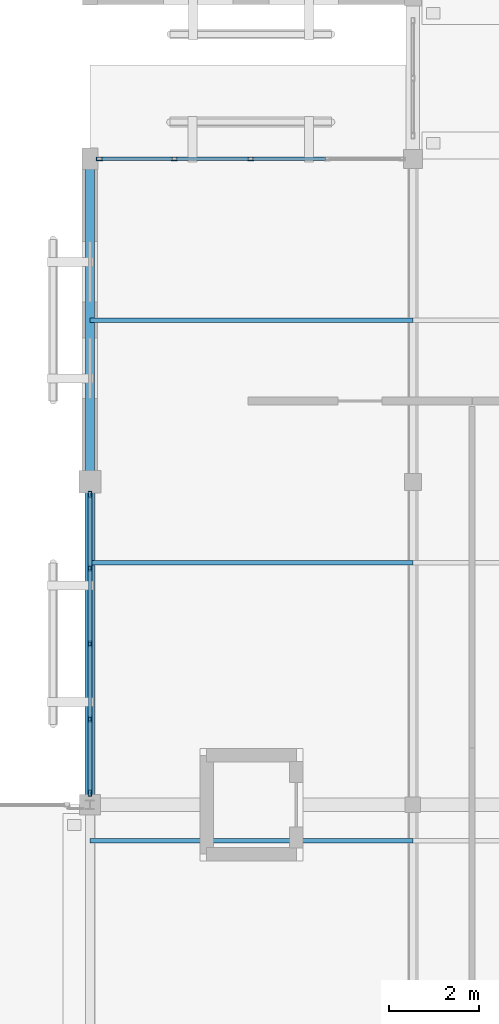
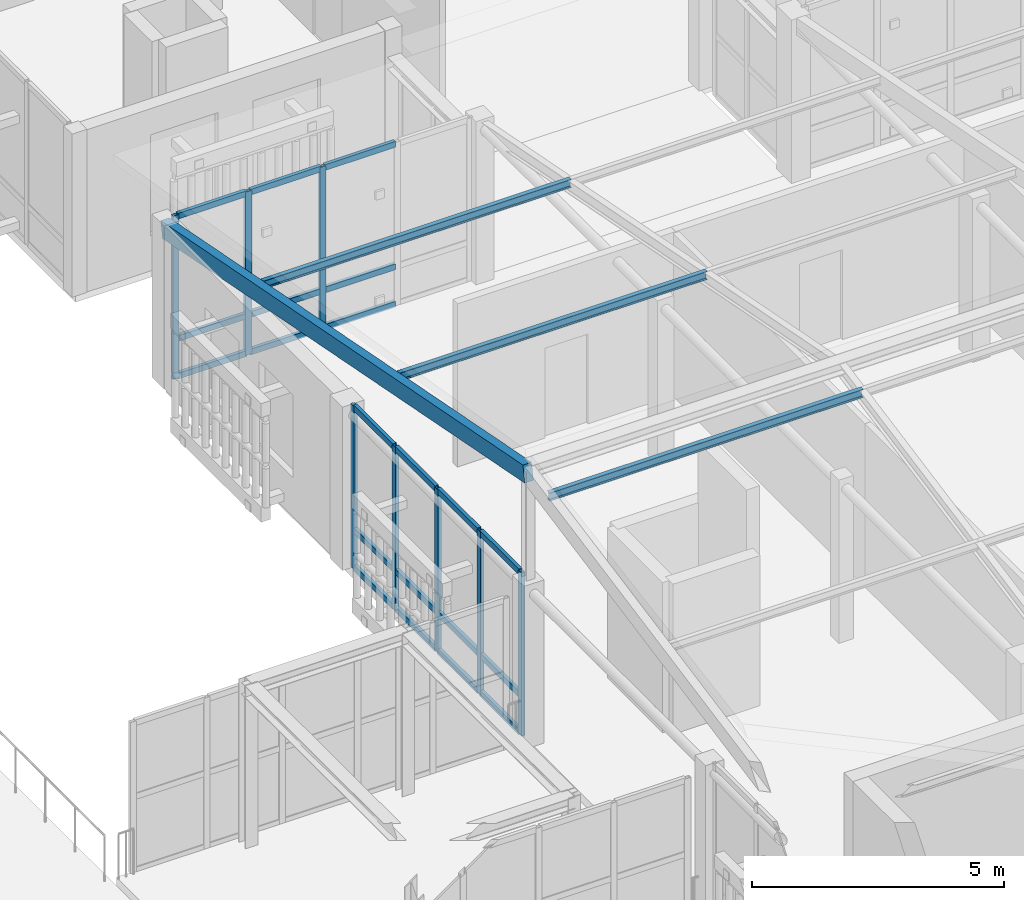
# One storey, part 44 of 112: 33 members, 2 elements without a shape of their own.
"""IFC4 building model written with IfcOpenShell, lengths in metres."""

from ifc_helpers import new_model, si_unit, direction, frame, origin, origin_2d, place, context, subcontext, project, spatial, rectangle, hollow_rectangle, i_section, extrude, material, layer, layer_set, material_profile, profile_set, type_object, element, aggregate, save


model = new_model("IFC4")

# Units and contexts
model_context = context("Model", 3, precision=1e-05, world=origin(), true_north=direction((0.0, 1.0)))
body_context = subcontext(model_context, "Body", "Model", "MODEL_VIEW")
ifc_project = project(units=[si_unit("LENGTHUNIT", "METRE"), si_unit("AREAUNIT", "SQUARE_METRE"), si_unit("VOLUMEUNIT", "CUBIC_METRE"), si_unit("PLANEANGLEUNIT", "RADIAN"), si_unit("MASSUNIT", "GRAM", prefix="KILO")], contexts=[model_context])

# Site, building, storey
site_placement = place(None, origin())
site = spatial("IfcSite", under=ifc_project, at=site_placement, CompositionType="ELEMENT")
building_placement = place(site_placement, origin())
building = spatial("IfcBuilding", under=site, at=building_placement, Name="Mazaris Harbour Polytechnic", CompositionType="ELEMENT")
storey_placement = place(building_placement, frame((0.0, 0.0, 13.800048828125)))
storey = spatial("IfcBuildingStorey", under=building, at=storey_placement, Name="L03", CompositionType="ELEMENT", Elevation=13.800048828125)

# Curtain wall, members
ifc_material_1 = material(Name="Anodised Bronze Aluminium and Low-E Glass", Category="aluminium")
ifc_layer = layer(ifc_material_1, 0.159912109375, Name="Anodised Bronze Aluminium and Low-E Glass")
ifc_layer_set = layer_set([ifc_layer], Name="Anodised Bronze Aluminium and Low-E Glass")
curtain_wall_type = type_object("IfcCurtainWallType", Name="Cloister Court Curtain Wall", PredefinedType="NOTDEFINED", material=ifc_layer_set)
curtain_wall_1_placement = place(storey_placement, origin())
curtain_wall_1 = element("IfcCurtainWall", 1, at=curtain_wall_1_placement, inside=storey, type_object=curtain_wall_type, Name="V2 L03 Curtain Wall 55", PredefinedType="NOTDEFINED")
ifc_material_2 = material(Name="Anodised Bronze Steel S355", Category="steel")
ifc_material_profile_1 = material_profile(ifc_material_2, hollow_rectangle(XDim=0.080078125, YDim=0.139892578125, WallThickness=0.00634765625, at=origin_2d()), Name="RHS 80x140x6.3")
ifc_profile_set_1 = profile_set([ifc_material_profile_1], Name="Anodised Bronze Steel S355")
member_type_1 = type_object("IfcMemberType", Name="Curtain Mullion RHS80x140", PredefinedType="MULLION", material=ifc_profile_set_1)
member_1_placement = place(storey_placement, frame((122.612060546875, 43.199951171875, 0.0), z_axis=(0.0, 0.0, 1.0), x_axis=(0.0, 1.0, 0.0)))
member_1 = element("IfcMember", 2, at=member_1_placement, type_object=member_type_1, Name="CW-02 mullion 1", PredefinedType="MULLION", context=body_context, shape_type="SweptSolid", body=[
    extrude(hollow_rectangle(XDim=0.080078125, YDim=0.139892578125, WallThickness=0.00634765625, at=origin_2d()), origin(), (0.0, 0.0, 1.0), 3.9599609375),
])
member_2_placement = place(storey_placement, frame((124.278564453125, 43.199951171875, 0.0), z_axis=(0.0, 0.0, 1.0), x_axis=(0.0, 1.0, 0.0)))
member_2 = element("IfcMember", 3, at=member_2_placement, type_object=member_type_1, Name="CW-02 mullion 2", PredefinedType="MULLION", context=body_context, shape_type="SweptSolid", body=[
    extrude(hollow_rectangle(XDim=0.080078125, YDim=0.139892578125, WallThickness=0.00634765625, at=origin_2d()), origin(), (0.0, 0.0, 1.0), 3.9599609375),
])
member_3_placement = place(storey_placement, frame((125.985107421875, 43.199951171875, 0.0), z_axis=(0.0, 0.0, 1.0), x_axis=(0.0, 1.0, 0.0)))
member_3 = element("IfcMember", 4, at=member_3_placement, type_object=member_type_1, Name="CW-02 mullion 3", PredefinedType="MULLION", context=body_context, shape_type="SweptSolid", body=[
    extrude(hollow_rectangle(XDim=0.080078125, YDim=0.139892578125, WallThickness=0.00634765625, at=origin_2d()), origin(), (0.0, 0.0, 1.0), 3.9599609375),
])

curtain_wall_2_placement = place(storey_placement, origin())
curtain_wall_2 = element("IfcCurtainWall", 5, at=curtain_wall_2_placement, inside=storey, type_object=curtain_wall_type, Name="V2 L03 Curtain Wall 59", PredefinedType="NOTDEFINED")
member_4_placement = place(storey_placement, frame((122.39990234375, 29.06201171875, 0.0), z_axis=(0.0, 0.0, 1.0), x_axis=(-1.0, 0.0, 0.0)))
member_4 = element("IfcMember", 6, at=member_4_placement, type_object=member_type_1, Name="CW-02 mullion 1", PredefinedType="MULLION", context=body_context, shape_type="SweptSolid", body=[
    extrude(hollow_rectangle(XDim=0.080078125, YDim=0.139892578125, WallThickness=0.00634765625, at=origin_2d()), origin(), (0.0, 0.0, 1.0), 3.9599609375),
])
member_5_placement = place(storey_placement, frame((122.39990234375, 30.7060546875, 0.0), z_axis=(0.0, 0.0, 1.0), x_axis=(-1.0, 0.0, 0.0)))
member_5 = element("IfcMember", 7, at=member_5_placement, type_object=member_type_1, Name="CW-02 mullion 2", PredefinedType="MULLION", context=body_context, shape_type="SweptSolid", body=[
    extrude(hollow_rectangle(XDim=0.080078125, YDim=0.139892578125, WallThickness=0.00634765625, at=origin_2d()), origin(), (0.0, 0.0, 1.0), 3.9599609375),
])
member_6_placement = place(storey_placement, frame((122.39990234375, 32.389892578125, 0.0), z_axis=(0.0, 0.0, 1.0), x_axis=(-1.0, 0.0, 0.0)))
member_6 = element("IfcMember", 8, at=member_6_placement, type_object=member_type_1, Name="CW-02 mullion 3", PredefinedType="MULLION", context=body_context, shape_type="SweptSolid", body=[
    extrude(hollow_rectangle(XDim=0.080078125, YDim=0.139892578125, WallThickness=0.00634765625, at=origin_2d()), origin(), (0.0, 0.0, 1.0), 3.9599609375),
])
member_7_placement = place(storey_placement, frame((122.39990234375, 34.073974609375, 0.0), z_axis=(0.0, 0.0, 1.0), x_axis=(-1.0, 0.0, 0.0)))
member_7 = element("IfcMember", 9, at=member_7_placement, type_object=member_type_1, Name="CW-02 mullion 4", PredefinedType="MULLION", context=body_context, shape_type="SweptSolid", body=[
    extrude(hollow_rectangle(XDim=0.080078125, YDim=0.139892578125, WallThickness=0.00634765625, at=origin_2d()), origin(), (0.0, 0.0, 1.0), 3.9599609375),
])
member_8_placement = place(storey_placement, frame((122.39990234375, 35.718017578125, 0.0), z_axis=(0.0, 0.0, 1.0), x_axis=(-1.0, 0.0, 0.0)))
member_8 = element("IfcMember", 10, at=member_8_placement, type_object=member_type_1, Name="CW-02 mullion 5", PredefinedType="MULLION", context=body_context, shape_type="SweptSolid", body=[
    extrude(hollow_rectangle(XDim=0.080078125, YDim=0.139892578125, WallThickness=0.00634765625, at=origin_2d()), origin(), (0.0, 0.0, 1.0), 3.9599609375),
])

# Member
ifc_material_3 = material(Name="Anodised Bronze Steel S355", Category="steel")
ifc_material_profile_2 = material_profile(ifc_material_3, hollow_rectangle(XDim=0.080078125, YDim=0.139892578125, WallThickness=0.00634765625, at=origin_2d()), Name="RHS 80x140x6.3")
ifc_profile_set_2 = profile_set([ifc_material_profile_2], Name="Anodised Bronze Steel S355")
member_type_2 = type_object("IfcMemberType", Name="Curtain Transom RHS80x140", PredefinedType="USERDEFINED", material=ifc_profile_set_2)
member_9_placement = place(storey_placement, frame((122.652099609375, 43.199951171875, 0.0400390625), z_axis=(1.0, 0.0, 0.0), x_axis=(0.0, 1.0, 0.0)))
member_9 = element("IfcMember", 11, at=member_9_placement, type_object=member_type_2, Name="CW-02 transom 1.1", ObjectType="TRANSOM", PredefinedType="USERDEFINED", context=body_context, shape_type="SweptSolid", body=[
    extrude(hollow_rectangle(XDim=0.080078125, YDim=0.139892578125, WallThickness=0.00634765625, at=origin_2d()), origin(), (0.0, 0.0, 1.0), 1.58642578125),
])

member_10_placement = place(storey_placement, frame((122.652099609375, 43.199951171875, 0.949951171875), z_axis=(1.0, 0.0, 0.0), x_axis=(0.0, 1.0, 0.0)))
member_10 = element("IfcMember", 12, at=member_10_placement, type_object=member_type_2, Name="CW-02 transom 1.2", ObjectType="TRANSOM", PredefinedType="USERDEFINED", context=body_context, shape_type="SweptSolid", body=[
    extrude(hollow_rectangle(XDim=0.080078125, YDim=0.139892578125, WallThickness=0.00634765625, at=origin_2d()), origin(), (0.0, 0.0, 1.0), 1.58642578125),
])

member_11_placement = place(storey_placement, frame((122.652099609375, 43.199951171875, 3.919921875), z_axis=(1.0, 0.0, 0.0), x_axis=(0.0, 1.0, 0.0)))
member_11 = element("IfcMember", 13, at=member_11_placement, type_object=member_type_2, Name="CW-02 transom 1.3", ObjectType="TRANSOM", PredefinedType="USERDEFINED", context=body_context, shape_type="SweptSolid", body=[
    extrude(hollow_rectangle(XDim=0.080078125, YDim=0.139892578125, WallThickness=0.00634765625, at=origin_2d()), origin(), (0.0, 0.0, 1.0), 1.58642578125),
])

member_12_placement = place(storey_placement, frame((124.318603515625, 43.199951171875, 0.0400390625), z_axis=(1.0, 0.0, 0.0), x_axis=(0.0, 1.0, 0.0)))
member_12 = element("IfcMember", 14, at=member_12_placement, type_object=member_type_2, Name="CW-02 transom 2.1", ObjectType="TRANSOM", PredefinedType="USERDEFINED", context=body_context, shape_type="SweptSolid", body=[
    extrude(hollow_rectangle(XDim=0.080078125, YDim=0.139892578125, WallThickness=0.00634765625, at=origin_2d()), origin(), (0.0, 0.0, 1.0), 1.62646484375),
])

member_13_placement = place(storey_placement, frame((124.318603515625, 43.199951171875, 0.949951171875), z_axis=(1.0, 0.0, 0.0), x_axis=(0.0, 1.0, 0.0)))
member_13 = element("IfcMember", 15, at=member_13_placement, type_object=member_type_2, Name="CW-02 transom 2.2", ObjectType="TRANSOM", PredefinedType="USERDEFINED", context=body_context, shape_type="SweptSolid", body=[
    extrude(hollow_rectangle(XDim=0.080078125, YDim=0.139892578125, WallThickness=0.00634765625, at=origin_2d()), origin(), (0.0, 0.0, 1.0), 1.62646484375),
])

member_14_placement = place(storey_placement, frame((124.318603515625, 43.199951171875, 3.919921875), z_axis=(1.0, 0.0, 0.0), x_axis=(0.0, 1.0, 0.0)))
member_14 = element("IfcMember", 16, at=member_14_placement, type_object=member_type_2, Name="CW-02 transom 2.3", ObjectType="TRANSOM", PredefinedType="USERDEFINED", context=body_context, shape_type="SweptSolid", body=[
    extrude(hollow_rectangle(XDim=0.080078125, YDim=0.139892578125, WallThickness=0.00634765625, at=origin_2d()), origin(), (0.0, 0.0, 1.0), 1.62646484375),
])

member_15_placement = place(storey_placement, frame((126.02490234375, 43.199951171875, 0.0400390625), z_axis=(1.0, 0.0, 0.0), x_axis=(0.0, 1.0, 0.0)))
member_15 = element("IfcMember", 17, at=member_15_placement, type_object=member_type_2, Name="CW-02 transom 3.1", ObjectType="TRANSOM", PredefinedType="USERDEFINED", context=body_context, shape_type="SweptSolid", body=[
    extrude(hollow_rectangle(XDim=0.080078125, YDim=0.139892578125, WallThickness=0.00634765625, at=origin_2d()), origin(), (0.0, 0.0, 1.0), 1.626708984375),
])

member_16_placement = place(storey_placement, frame((126.02490234375, 43.199951171875, 0.949951171875), z_axis=(1.0, 0.0, 0.0), x_axis=(0.0, 1.0, 0.0)))
member_16 = element("IfcMember", 18, at=member_16_placement, type_object=member_type_2, Name="CW-02 transom 3.2", ObjectType="TRANSOM", PredefinedType="USERDEFINED", context=body_context, shape_type="SweptSolid", body=[
    extrude(hollow_rectangle(XDim=0.080078125, YDim=0.139892578125, WallThickness=0.00634765625, at=origin_2d()), origin(), (0.0, 0.0, 1.0), 1.626708984375),
])

member_17_placement = place(storey_placement, frame((126.02490234375, 43.199951171875, 3.919921875), z_axis=(1.0, 0.0, 0.0), x_axis=(0.0, 1.0, 0.0)))
member_17 = element("IfcMember", 19, at=member_17_placement, type_object=member_type_2, Name="CW-02 transom 3.3", ObjectType="TRANSOM", PredefinedType="USERDEFINED", context=body_context, shape_type="SweptSolid", body=[
    extrude(hollow_rectangle(XDim=0.080078125, YDim=0.139892578125, WallThickness=0.00634765625, at=origin_2d()), origin(), (0.0, 0.0, 1.0), 1.626708984375),
])

aggregate(curtain_wall_1, [member_1, member_2, member_3, member_9, member_10, member_11, member_12, member_13, member_14, member_15, member_16, member_17])

member_18_placement = place(storey_placement, frame((122.39990234375, 29.10205078125, 0.0400390625), z_axis=(0.0, 1.0, 0.0), x_axis=(-1.0, 0.0, 0.0)))
member_18 = element("IfcMember", 20, at=member_18_placement, type_object=member_type_2, Name="CW-02 transom 1.1", ObjectType="TRANSOM", PredefinedType="USERDEFINED", context=body_context, shape_type="SweptSolid", body=[
    extrude(hollow_rectangle(XDim=0.080078125, YDim=0.139892578125, WallThickness=0.00634765625, at=origin_2d()), origin(), (0.0, 0.0, 1.0), 1.56396484375),
])

member_19_placement = place(storey_placement, frame((122.39990234375, 29.10205078125, 0.949951171875), z_axis=(0.0, 1.0, 0.0), x_axis=(-1.0, 0.0, 0.0)))
member_19 = element("IfcMember", 21, at=member_19_placement, type_object=member_type_2, Name="CW-02 transom 1.2", ObjectType="TRANSOM", PredefinedType="USERDEFINED", context=body_context, shape_type="SweptSolid", body=[
    extrude(hollow_rectangle(XDim=0.080078125, YDim=0.139892578125, WallThickness=0.00634765625, at=origin_2d()), origin(), (0.0, 0.0, 1.0), 1.56396484375),
])

member_20_placement = place(storey_placement, frame((122.39990234375, 29.10205078125, 3.919921875), z_axis=(0.0, 1.0, 0.0), x_axis=(-1.0, 0.0, 0.0)))
member_20 = element("IfcMember", 22, at=member_20_placement, type_object=member_type_2, Name="CW-02 transom 1.3", ObjectType="TRANSOM", PredefinedType="USERDEFINED", context=body_context, shape_type="SweptSolid", body=[
    extrude(hollow_rectangle(XDim=0.080078125, YDim=0.139892578125, WallThickness=0.00634765625, at=origin_2d()), origin(), (0.0, 0.0, 1.0), 1.56396484375),
])

member_21_placement = place(storey_placement, frame((122.39990234375, 30.74609375, 0.0400390625), z_axis=(0.0, 1.0, 0.0), x_axis=(-1.0, 0.0, 0.0)))
member_21 = element("IfcMember", 23, at=member_21_placement, type_object=member_type_2, Name="CW-02 transom 2.1", ObjectType="TRANSOM", PredefinedType="USERDEFINED", context=body_context, shape_type="SweptSolid", body=[
    extrude(hollow_rectangle(XDim=0.080078125, YDim=0.139892578125, WallThickness=0.00634765625, at=origin_2d()), origin(), (0.0, 0.0, 1.0), 1.60400390625),
])

member_22_placement = place(storey_placement, frame((122.39990234375, 30.74609375, 0.949951171875), z_axis=(0.0, 1.0, 0.0), x_axis=(-1.0, 0.0, 0.0)))
member_22 = element("IfcMember", 24, at=member_22_placement, type_object=member_type_2, Name="CW-02 transom 2.2", ObjectType="TRANSOM", PredefinedType="USERDEFINED", context=body_context, shape_type="SweptSolid", body=[
    extrude(hollow_rectangle(XDim=0.080078125, YDim=0.139892578125, WallThickness=0.00634765625, at=origin_2d()), origin(), (0.0, 0.0, 1.0), 1.60400390625),
])

member_23_placement = place(storey_placement, frame((122.39990234375, 30.74609375, 3.919921875), z_axis=(0.0, 1.0, 0.0), x_axis=(-1.0, 0.0, 0.0)))
member_23 = element("IfcMember", 25, at=member_23_placement, type_object=member_type_2, Name="CW-02 transom 2.3", ObjectType="TRANSOM", PredefinedType="USERDEFINED", context=body_context, shape_type="SweptSolid", body=[
    extrude(hollow_rectangle(XDim=0.080078125, YDim=0.139892578125, WallThickness=0.00634765625, at=origin_2d()), origin(), (0.0, 0.0, 1.0), 1.60400390625),
])

member_24_placement = place(storey_placement, frame((122.39990234375, 32.429931640625, 0.0400390625), z_axis=(0.0, 1.0, 0.0), x_axis=(-1.0, 0.0, 0.0)))
member_24 = element("IfcMember", 26, at=member_24_placement, type_object=member_type_2, Name="CW-02 transom 3.1", ObjectType="TRANSOM", PredefinedType="USERDEFINED", context=body_context, shape_type="SweptSolid", body=[
    extrude(hollow_rectangle(XDim=0.080078125, YDim=0.139892578125, WallThickness=0.00634765625, at=origin_2d()), origin(), (0.0, 0.0, 1.0), 1.60400390625),
])

member_25_placement = place(storey_placement, frame((122.39990234375, 32.429931640625, 0.949951171875), z_axis=(0.0, 1.0, 0.0), x_axis=(-1.0, 0.0, 0.0)))
member_25 = element("IfcMember", 27, at=member_25_placement, type_object=member_type_2, Name="CW-02 transom 3.2", ObjectType="TRANSOM", PredefinedType="USERDEFINED", context=body_context, shape_type="SweptSolid", body=[
    extrude(hollow_rectangle(XDim=0.080078125, YDim=0.139892578125, WallThickness=0.00634765625, at=origin_2d()), origin(), (0.0, 0.0, 1.0), 1.60400390625),
])

member_26_placement = place(storey_placement, frame((122.39990234375, 32.429931640625, 3.919921875), z_axis=(0.0, 1.0, 0.0), x_axis=(-1.0, 0.0, 0.0)))
member_26 = element("IfcMember", 28, at=member_26_placement, type_object=member_type_2, Name="CW-02 transom 3.3", ObjectType="TRANSOM", PredefinedType="USERDEFINED", context=body_context, shape_type="SweptSolid", body=[
    extrude(hollow_rectangle(XDim=0.080078125, YDim=0.139892578125, WallThickness=0.00634765625, at=origin_2d()), origin(), (0.0, 0.0, 1.0), 1.60400390625),
])

member_27_placement = place(storey_placement, frame((122.39990234375, 34.114013671875, 0.0400390625), z_axis=(0.0, 1.0, 0.0), x_axis=(-1.0, 0.0, 0.0)))
member_27 = element("IfcMember", 29, at=member_27_placement, type_object=member_type_2, Name="CW-02 transom 4.1", ObjectType="TRANSOM", PredefinedType="USERDEFINED", context=body_context, shape_type="SweptSolid", body=[
    extrude(hollow_rectangle(XDim=0.080078125, YDim=0.139892578125, WallThickness=0.00634765625, at=origin_2d()), origin(), (0.0, 0.0, 1.0), 1.56396484375),
])

member_28_placement = place(storey_placement, frame((122.39990234375, 34.114013671875, 0.949951171875), z_axis=(0.0, 1.0, 0.0), x_axis=(-1.0, 0.0, 0.0)))
member_28 = element("IfcMember", 30, at=member_28_placement, type_object=member_type_2, Name="CW-02 transom 4.2", ObjectType="TRANSOM", PredefinedType="USERDEFINED", context=body_context, shape_type="SweptSolid", body=[
    extrude(hollow_rectangle(XDim=0.080078125, YDim=0.139892578125, WallThickness=0.00634765625, at=origin_2d()), origin(), (0.0, 0.0, 1.0), 1.56396484375),
])

member_29_placement = place(storey_placement, frame((122.39990234375, 34.114013671875, 3.919921875), z_axis=(0.0, 1.0, 0.0), x_axis=(-1.0, 0.0, 0.0)))
member_29 = element("IfcMember", 31, at=member_29_placement, type_object=member_type_2, Name="CW-02 transom 4.3", ObjectType="TRANSOM", PredefinedType="USERDEFINED", context=body_context, shape_type="SweptSolid", body=[
    extrude(hollow_rectangle(XDim=0.080078125, YDim=0.139892578125, WallThickness=0.00634765625, at=origin_2d()), origin(), (0.0, 0.0, 1.0), 1.56396484375),
])

aggregate(curtain_wall_2, [member_4, member_5, member_6, member_7, member_8, member_18, member_19, member_20, member_21, member_22, member_23, member_24, member_25, member_26, member_27, member_28, member_29])

# Members
ifc_material_4 = material(Name="Glulam GL28h", Category="wood")
ifc_material_profile_3 = material_profile(ifc_material_4, rectangle(XDim=0.199951171875, YDim=0.39990234375, at=origin_2d()), Name="RECT200x400")
ifc_profile_set_3 = profile_set([ifc_material_profile_3], Name="Glulam GL28h")
member_type_3 = type_object("IfcMemberType", Name="Glulam Roof Rafter 200x400", PredefinedType="RAFTER", material=ifc_profile_set_3)
member_30_placement = place(storey_placement, frame((122.39990234375, 28.800048828125, 6.5), z_axis=(0.0, 0.9816145235, -0.190874113628), x_axis=(-1.0, 0.0, 0.0)))
element("IfcMember", 32, at=member_30_placement, inside=storey, type_object=member_type_3, Name="V2 Pavilion North Rafter 1", PredefinedType="RAFTER", context=body_context, shape_type="SweptSolid", body=[
    extrude(rectangle(XDim=0.199951171875, YDim=0.39990234375, at=origin_2d()), origin(), (0.0, 0.0, 1.0), 14.669677734375),
])
ifc_material_5 = material(Name="Steel S355", Category="steel")
ifc_material_profile_4 = material_profile(ifc_material_5, i_section(OverallWidth=0.10009765625, OverallDepth=0.199951171875, WebThickness=0.005615234375, FlangeThickness=0.008544921875, FilletRadius=0.011962890625, at=origin_2d()), Name="IPE 200")
ifc_profile_set_4 = profile_set([ifc_material_profile_4], Name="Steel S355")
member_type_4 = type_object("IfcMemberType", Name="Steel Purlin IPE200", PredefinedType="PURLIN", material=ifc_profile_set_4)
for number, where, z_axis, x_axis, name in (
    (33, (122.39990234375, 28.0, 6.419921875), (1.0, 0.0, 0.0), (0.0, 1.0, 0.0), "V2 Roof Purlin 150"),
    (34, (122.39990234375, 34.199951171875, 5.52001953125), (1.0, 0.0, 0.0), (0.0, 1.0, 0.0), "V2 Roof Purlin 151"),
    (35, (122.39990234375, 39.60009765625, 4.47998046875), (1.0, 0.0, 0.0), (0.0, 1.0, 0.0), "V2 Roof Purlin 152"),
):
    element("IfcMember", number, at=place(storey_placement, frame(where, z_axis=z_axis, x_axis=x_axis)), inside=storey, type_object=member_type_4, Name=name, PredefinedType="PURLIN", context=body_context, shape_type="SweptSolid", body=[
        extrude(i_section(OverallWidth=0.10009765625, OverallDepth=0.199951171875, WebThickness=0.005615234375, FlangeThickness=0.008544921875, FilletRadius=0.011962890625, at=origin_2d()), origin(), (0.0, 0.0, 1.0), 7.2001953125),
    ])

save(model, "model.ifc")
